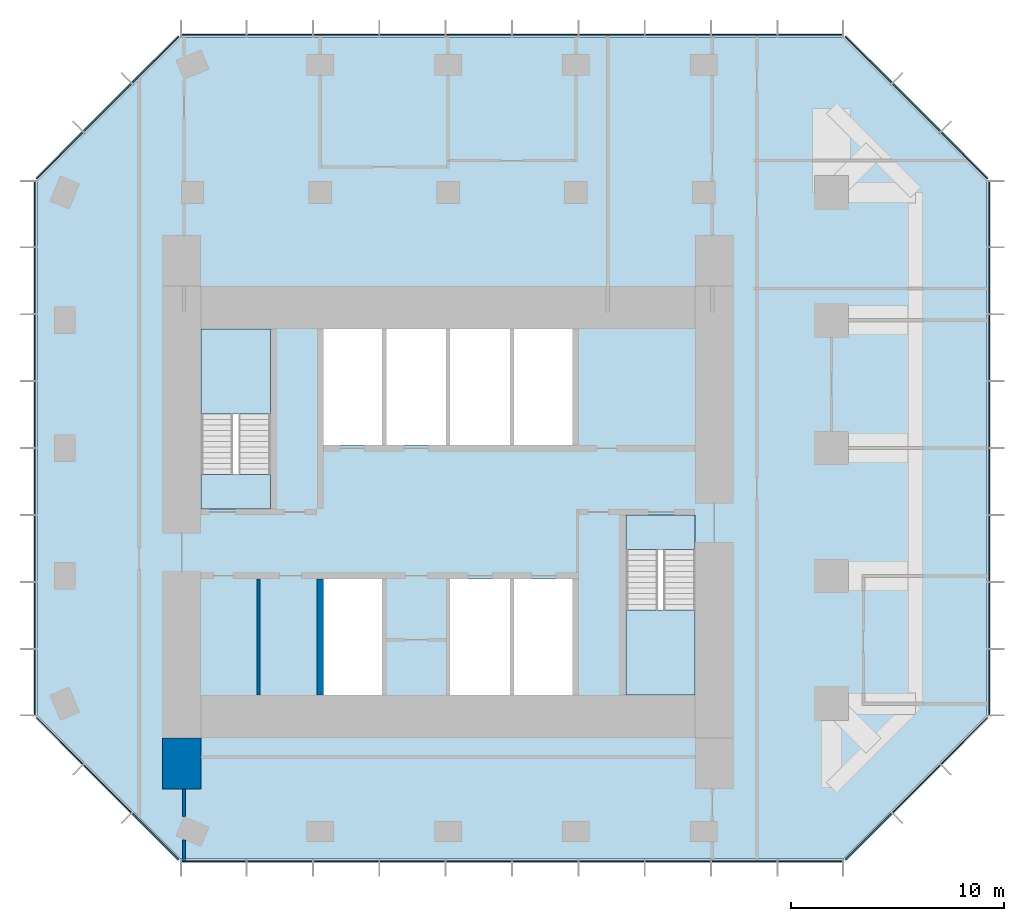
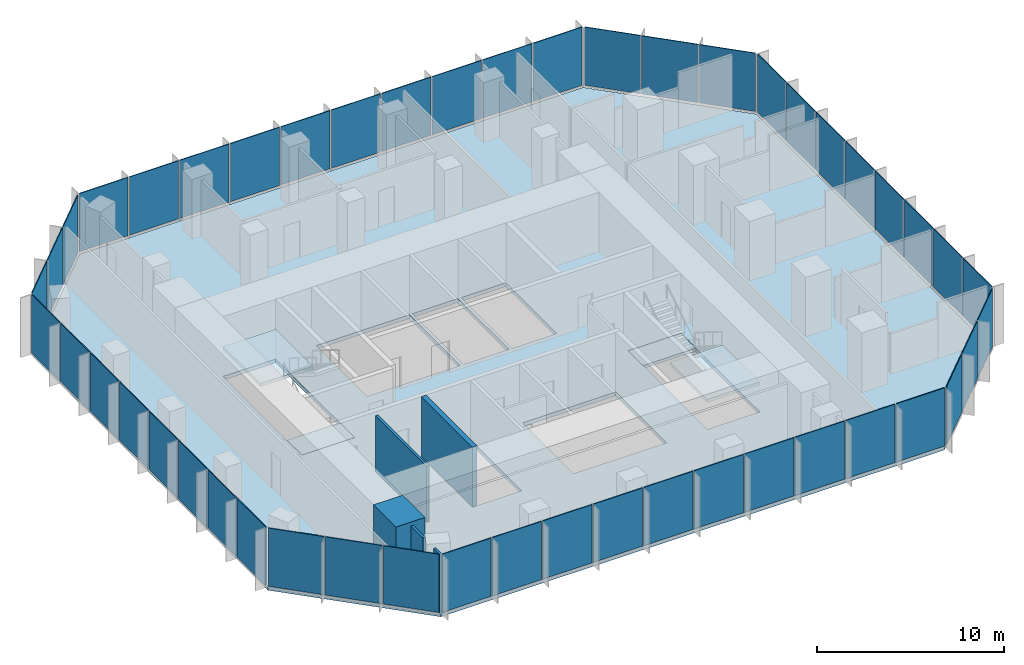
# One storey, part 7 of 10: 48 plates, 5 slabs, 5 walls, 10 elements without a shape of their own.
"""IFC4 building model written with IfcOpenShell, lengths in metres."""

from ifc_helpers import new_model, si_unit, direction, frame, frame_2d, origin, origin_2d, place, context, subcontext, project, spatial, polyline, rectangle, outline, extrude, material, layer, layer_set, type_object, element, aggregate, save


model = new_model("IFC4")

# Units and contexts
model_context = context("Model", 3, precision=1e-05, world=origin(), true_north=direction((0.0, 1.0)))
body_context = subcontext(model_context, "Body", "Model", "MODEL_VIEW")
ifc_project = project(units=[si_unit("LENGTHUNIT", "METRE"), si_unit("AREAUNIT", "SQUARE_METRE"), si_unit("VOLUMEUNIT", "CUBIC_METRE"), si_unit("PLANEANGLEUNIT", "RADIAN"), si_unit("MASSUNIT", "GRAM", prefix="KILO")], contexts=[model_context])

# Site, building, storey
site_placement = place(None, origin())
site = spatial("IfcSite", under=ifc_project, at=site_placement, CompositionType="ELEMENT")
building_placement = place(site_placement, origin())
building = spatial("IfcBuilding", under=site, at=building_placement, Name="Highveld Stack Headquarters", CompositionType="ELEMENT")
storey_placement = place(building_placement, frame((0.0, 0.0, 252.800048828125)))
storey = spatial("IfcBuildingStorey", under=building, at=storey_placement, Name="L62", CompositionType="ELEMENT", Elevation=252.800048828125)

# Curtain wall, plates
ifc_material_1 = material(Name="Aluminium bronze anodised", Category="aluminium")
ifc_layer_1 = layer(ifc_material_1, 0.199951171875)
ifc_layer_set_1 = layer_set([ifc_layer_1], Name="Aluminium bronze anodised")
curtain_wall_type = type_object("IfcCurtainWallType", Name="CW5 EXECUTIVE UNITISED CURTAIN WALL", PredefinedType="NOTDEFINED", material=ifc_layer_set_1)
curtain_wall_1_placement = place(storey_placement, origin())
curtain_wall_1 = element("IfcCurtainWall", 1, at=curtain_wall_1_placement, inside=storey, type_object=curtain_wall_type, Name="Curtain wall CW5 L62 S", PredefinedType="NOTDEFINED")
ifc_material_2 = material(Name="Glass bronze tinted triple glazed unit", Category="glass")
ifc_layer_2 = layer(ifc_material_2, 0.050048828125)
ifc_layer_set_2 = layer_set([ifc_layer_2], Name="Glass bronze tinted triple glazed unit")
plate_type = type_object("IfcPlateType", Name="CW5 PANEL BRONZE TINTED TRIPLE GLAZED UNIT", PredefinedType="CURTAIN_PANEL", material=ifc_layer_set_2)
plate_1_placement = place(storey_placement, frame((-5.005615234375, -13.39990234375, 0.10009765625), z_axis=(0.0, 0.0, 1.0), x_axis=(1.0, 0.0, 0.0)))
plate_1 = element("IfcPlate", 2, at=plate_1_placement, type_object=plate_type, Name="CW5 panel L62 1.1", PredefinedType="CURTAIN_PANEL", context=body_context, shape_type="SweptSolid", body=[
    extrude(rectangle(XDim=3.0185546875, YDim=0.050048828125, at=origin_2d()), origin(), (0.0, 0.0, 1.0), 3.800048828125),
])
plate_2_placement = place(storey_placement, frame((-1.906005859375, -13.39990234375, 0.10009765625), z_axis=(0.0, 0.0, 1.0), x_axis=(1.0, 0.0, 0.0)))
plate_2 = element("IfcPlate", 3, at=plate_2_placement, type_object=plate_type, Name="CW5 panel L62 2.1", PredefinedType="CURTAIN_PANEL", context=body_context, shape_type="SweptSolid", body=[
    extrude(rectangle(XDim=3.051025390625, YDim=0.050048828125, at=origin_2d()), origin(), (0.0, 0.0, 1.0), 3.800048828125),
])
plate_3_placement = place(storey_placement, frame((1.2099609375, -13.39990234375, 0.10009765625), z_axis=(0.0, 0.0, 1.0), x_axis=(1.0, 0.0, 0.0)))
plate_3 = element("IfcPlate", 4, at=plate_3_placement, type_object=plate_type, Name="CW5 panel L62 3.1", PredefinedType="CURTAIN_PANEL", context=body_context, shape_type="SweptSolid", body=[
    extrude(rectangle(XDim=3.051025390625, YDim=0.050048828125, at=origin_2d()), origin(), (0.0, 0.0, 1.0), 3.800048828125),
])
plate_4_placement = place(storey_placement, frame((4.325927734375, -13.39990234375, 0.10009765625), z_axis=(0.0, 0.0, 1.0), x_axis=(1.0, 0.0, 0.0)))
plate_4 = element("IfcPlate", 5, at=plate_4_placement, type_object=plate_type, Name="CW5 panel L62 4.1", PredefinedType="CURTAIN_PANEL", context=body_context, shape_type="SweptSolid", body=[
    extrude(rectangle(XDim=3.051025390625, YDim=0.050048828125, at=origin_2d()), origin(), (0.0, 0.0, 1.0), 3.800048828125),
])
plate_5_placement = place(storey_placement, frame((7.44189453125, -13.39990234375, 0.10009765625), z_axis=(0.0, 0.0, 1.0), x_axis=(1.0, 0.0, 0.0)))
plate_5 = element("IfcPlate", 6, at=plate_5_placement, type_object=plate_type, Name="CW5 panel L62 5.1", PredefinedType="CURTAIN_PANEL", context=body_context, shape_type="SweptSolid", body=[
    extrude(rectangle(XDim=3.051025390625, YDim=0.050048828125, at=origin_2d()), origin(), (0.0, 0.0, 1.0), 3.800048828125),
])
plate_6_placement = place(storey_placement, frame((10.55810546875, -13.39990234375, 0.10009765625), z_axis=(0.0, 0.0, 1.0), x_axis=(1.0, 0.0, 0.0)))
plate_6 = element("IfcPlate", 7, at=plate_6_placement, type_object=plate_type, Name="CW5 panel L62 6.1", PredefinedType="CURTAIN_PANEL", context=body_context, shape_type="SweptSolid", body=[
    extrude(rectangle(XDim=3.051025390625, YDim=0.050048828125, at=origin_2d()), origin(), (0.0, 0.0, 1.0), 3.800048828125),
])
plate_7_placement = place(storey_placement, frame((13.674072265625, -13.39990234375, 0.10009765625), z_axis=(0.0, 0.0, 1.0), x_axis=(1.0, 0.0, 0.0)))
plate_7 = element("IfcPlate", 8, at=plate_7_placement, type_object=plate_type, Name="CW5 panel L62 7.1", PredefinedType="CURTAIN_PANEL", context=body_context, shape_type="SweptSolid", body=[
    extrude(rectangle(XDim=3.051025390625, YDim=0.050048828125, at=origin_2d()), origin(), (0.0, 0.0, 1.0), 3.800048828125),
])
plate_8_placement = place(storey_placement, frame((16.789794921875, -13.39990234375, 0.10009765625), z_axis=(0.0, 0.0, 1.0), x_axis=(1.0, 0.0, 0.0)))
plate_8 = element("IfcPlate", 9, at=plate_8_placement, type_object=plate_type, Name="CW5 panel L62 8.1", PredefinedType="CURTAIN_PANEL", context=body_context, shape_type="SweptSolid", body=[
    extrude(rectangle(XDim=3.051025390625, YDim=0.050048828125, at=origin_2d()), origin(), (0.0, 0.0, 1.0), 3.800048828125),
])
plate_9_placement = place(storey_placement, frame((19.906005859375, -13.39990234375, 0.10009765625), z_axis=(0.0, 0.0, 1.0), x_axis=(1.0, 0.0, 0.0)))
plate_9 = element("IfcPlate", 10, at=plate_9_placement, type_object=plate_type, Name="CW5 panel L62 9.1", PredefinedType="CURTAIN_PANEL", context=body_context, shape_type="SweptSolid", body=[
    extrude(rectangle(XDim=3.051025390625, YDim=0.050048828125, at=origin_2d()), origin(), (0.0, 0.0, 1.0), 3.800048828125),
])
plate_10_placement = place(storey_placement, frame((23.005615234375, -13.39990234375, 0.10009765625), z_axis=(0.0, 0.0, 1.0), x_axis=(1.0, 0.0, 0.0)))
plate_10 = element("IfcPlate", 11, at=plate_10_placement, type_object=plate_type, Name="CW5 panel L62 10.1", PredefinedType="CURTAIN_PANEL", context=body_context, shape_type="SweptSolid", body=[
    extrude(rectangle(XDim=3.0185546875, YDim=0.050048828125, at=origin_2d()), origin(), (0.0, 0.0, 1.0), 3.800048828125),
])
aggregate(curtain_wall_1, [plate_1, plate_2, plate_3, plate_4, plate_5, plate_6, plate_7, plate_8, plate_9, plate_10])

curtain_wall_2_placement = place(storey_placement, origin())
curtain_wall_2 = element("IfcCurtainWall", 12, at=curtain_wall_2_placement, inside=storey, type_object=curtain_wall_type, Name="Curtain wall CW5 L62 SE", PredefinedType="NOTDEFINED")
plate_11_placement = place(storey_placement, frame((25.740478515625, -12.239501953125, 0.10009765625), z_axis=(0.0, 0.0, 1.0), x_axis=(0.707106781187, 0.707106781187, 0.0)))
plate_11 = element("IfcPlate", 13, at=plate_11_placement, type_object=plate_type, Name="CW5 panel L62 1.1", PredefinedType="CURTAIN_PANEL", context=body_context, shape_type="SweptSolid", body=[
    extrude(rectangle(XDim=3.08251953125, YDim=0.050048828125, at=origin_2d()), origin(), (0.0, 0.0, 1.0), 3.800048828125),
])
plate_12_placement = place(storey_placement, frame((27.989990234375, -9.989990234375, 0.10009765625), z_axis=(0.0, 0.0, 1.0), x_axis=(0.707106781187, 0.707106781187, 0.0)))
plate_12 = element("IfcPlate", 14, at=plate_12_placement, type_object=plate_type, Name="CW5 panel L62 2.1", PredefinedType="CURTAIN_PANEL", context=body_context, shape_type="SweptSolid", body=[
    extrude(rectangle(XDim=3.14990234375, YDim=0.050048828125, at=origin_2d()), origin(), (0.0, 0.0, 1.0), 3.800048828125),
])
plate_13_placement = place(storey_placement, frame((30.239501953125, -7.740478515625, 0.10009765625), z_axis=(0.0, 0.0, 1.0), x_axis=(0.707106781187, 0.707106781187, 0.0)))
plate_13 = element("IfcPlate", 15, at=plate_13_placement, type_object=plate_type, Name="CW5 panel L62 3.1", PredefinedType="CURTAIN_PANEL", context=body_context, shape_type="SweptSolid", body=[
    extrude(rectangle(XDim=3.08251953125, YDim=0.050048828125, at=origin_2d()), origin(), (0.0, 0.0, 1.0), 3.800048828125),
])
aggregate(curtain_wall_2, [plate_11, plate_12, plate_13])

curtain_wall_3_placement = place(storey_placement, origin())
curtain_wall_3 = element("IfcCurtainWall", 16, at=curtain_wall_3_placement, inside=storey, type_object=curtain_wall_type, Name="Curtain wall CW5 L62 E", PredefinedType="NOTDEFINED")
plate_14_placement = place(storey_placement, frame((31.39990234375, -4.9912109375, 0.10009765625), z_axis=(0.0, 0.0, 1.0), x_axis=(0.0, 1.0, 0.0)))
plate_14 = element("IfcPlate", 17, at=plate_14_placement, type_object=plate_type, Name="CW5 panel L62 1.1", PredefinedType="CURTAIN_PANEL", context=body_context, shape_type="SweptSolid", body=[
    extrude(rectangle(XDim=3.047607421875, YDim=0.050048828125, at=origin_2d()), origin(), (0.0, 0.0, 1.0), 3.800048828125),
])
plate_15_placement = place(storey_placement, frame((31.39990234375, -1.8623046875, 0.10009765625), z_axis=(0.0, 0.0, 1.0), x_axis=(0.0, 1.0, 0.0)))
plate_15 = element("IfcPlate", 18, at=plate_15_placement, type_object=plate_type, Name="CW5 panel L62 2.1", PredefinedType="CURTAIN_PANEL", context=body_context, shape_type="SweptSolid", body=[
    extrude(rectangle(XDim=3.080078125, YDim=0.050048828125, at=origin_2d()), origin(), (0.0, 0.0, 1.0), 3.800048828125),
])
plate_16_placement = place(storey_placement, frame((31.39990234375, 1.282470703125, 0.10009765625), z_axis=(0.0, 0.0, 1.0), x_axis=(0.0, 1.0, 0.0)))
plate_16 = element("IfcPlate", 19, at=plate_16_placement, type_object=plate_type, Name="CW5 panel L62 3.1", PredefinedType="CURTAIN_PANEL", context=body_context, shape_type="SweptSolid", body=[
    extrude(rectangle(XDim=3.080078125, YDim=0.050048828125, at=origin_2d()), origin(), (0.0, 0.0, 1.0), 3.800048828125),
])
plate_17_placement = place(storey_placement, frame((31.39990234375, 4.427490234375, 0.10009765625), z_axis=(0.0, 0.0, 1.0), x_axis=(0.0, 1.0, 0.0)))
plate_17 = element("IfcPlate", 20, at=plate_17_placement, type_object=plate_type, Name="CW5 panel L62 4.1", PredefinedType="CURTAIN_PANEL", context=body_context, shape_type="SweptSolid", body=[
    extrude(rectangle(XDim=3.080078125, YDim=0.050048828125, at=origin_2d()), origin(), (0.0, 0.0, 1.0), 3.800048828125),
])
plate_18_placement = place(storey_placement, frame((31.39990234375, 7.572509765625, 0.10009765625), z_axis=(0.0, 0.0, 1.0), x_axis=(0.0, 1.0, 0.0)))
plate_18 = element("IfcPlate", 21, at=plate_18_placement, type_object=plate_type, Name="CW5 panel L62 5.1", PredefinedType="CURTAIN_PANEL", context=body_context, shape_type="SweptSolid", body=[
    extrude(rectangle(XDim=3.080078125, YDim=0.050048828125, at=origin_2d()), origin(), (0.0, 0.0, 1.0), 3.800048828125),
])
plate_19_placement = place(storey_placement, frame((31.39990234375, 10.717529296875, 0.10009765625), z_axis=(0.0, 0.0, 1.0), x_axis=(0.0, 1.0, 0.0)))
plate_19 = element("IfcPlate", 22, at=plate_19_placement, type_object=plate_type, Name="CW5 panel L62 6.1", PredefinedType="CURTAIN_PANEL", context=body_context, shape_type="SweptSolid", body=[
    extrude(rectangle(XDim=3.080078125, YDim=0.050048828125, at=origin_2d()), origin(), (0.0, 0.0, 1.0), 3.800048828125),
])
plate_20_placement = place(storey_placement, frame((31.39990234375, 13.8623046875, 0.10009765625), z_axis=(0.0, 0.0, 1.0), x_axis=(0.0, 1.0, 0.0)))
plate_20 = element("IfcPlate", 23, at=plate_20_placement, type_object=plate_type, Name="CW5 panel L62 7.1", PredefinedType="CURTAIN_PANEL", context=body_context, shape_type="SweptSolid", body=[
    extrude(rectangle(XDim=3.080078125, YDim=0.050048828125, at=origin_2d()), origin(), (0.0, 0.0, 1.0), 3.800048828125),
])
plate_21_placement = place(storey_placement, frame((31.39990234375, 16.9912109375, 0.10009765625), z_axis=(0.0, 0.0, 1.0), x_axis=(0.0, 1.0, 0.0)))
plate_21 = element("IfcPlate", 24, at=plate_21_placement, type_object=plate_type, Name="CW5 panel L62 8.1", PredefinedType="CURTAIN_PANEL", context=body_context, shape_type="SweptSolid", body=[
    extrude(rectangle(XDim=3.047607421875, YDim=0.050048828125, at=origin_2d()), origin(), (0.0, 0.0, 1.0), 3.800048828125),
])
aggregate(curtain_wall_3, [plate_14, plate_15, plate_16, plate_17, plate_18, plate_19, plate_20, plate_21])

curtain_wall_4_placement = place(storey_placement, origin())
curtain_wall_4 = element("IfcCurtainWall", 25, at=curtain_wall_4_placement, inside=storey, type_object=curtain_wall_type, Name="Curtain wall CW5 L62 NE", PredefinedType="NOTDEFINED")
plate_22_placement = place(storey_placement, frame((30.239501953125, 19.740478515625, 0.10009765625), z_axis=(0.0, 0.0, 1.0), x_axis=(-0.707106781187, 0.707106781187, 0.0)))
plate_22 = element("IfcPlate", 26, at=plate_22_placement, type_object=plate_type, Name="CW5 panel L62 1.1", PredefinedType="CURTAIN_PANEL", context=body_context, shape_type="SweptSolid", body=[
    extrude(rectangle(XDim=3.08251953125, YDim=0.050048828125, at=origin_2d()), origin(), (0.0, 0.0, 1.0), 3.800048828125),
])
plate_23_placement = place(storey_placement, frame((27.989990234375, 21.989990234375, 0.10009765625), z_axis=(0.0, 0.0, 1.0), x_axis=(-0.707106781187, 0.707106781187, 0.0)))
plate_23 = element("IfcPlate", 27, at=plate_23_placement, type_object=plate_type, Name="CW5 panel L62 2.1", PredefinedType="CURTAIN_PANEL", context=body_context, shape_type="SweptSolid", body=[
    extrude(rectangle(XDim=3.14990234375, YDim=0.050048828125, at=origin_2d()), origin(), (0.0, 0.0, 1.0), 3.800048828125),
])
plate_24_placement = place(storey_placement, frame((25.740478515625, 24.239501953125, 0.10009765625), z_axis=(0.0, 0.0, 1.0), x_axis=(-0.707106781187, 0.707106781187, 0.0)))
plate_24 = element("IfcPlate", 28, at=plate_24_placement, type_object=plate_type, Name="CW5 panel L62 3.1", PredefinedType="CURTAIN_PANEL", context=body_context, shape_type="SweptSolid", body=[
    extrude(rectangle(XDim=3.08251953125, YDim=0.050048828125, at=origin_2d()), origin(), (0.0, 0.0, 1.0), 3.800048828125),
])
aggregate(curtain_wall_4, [plate_22, plate_23, plate_24])

curtain_wall_5_placement = place(storey_placement, origin())
curtain_wall_5 = element("IfcCurtainWall", 29, at=curtain_wall_5_placement, inside=storey, type_object=curtain_wall_type, Name="Curtain wall CW5 L62 N", PredefinedType="NOTDEFINED")
plate_25_placement = place(storey_placement, frame((23.005615234375, 25.39990234375, 0.10009765625), z_axis=(0.0, 0.0, 1.0), x_axis=(-1.0, 0.0, 0.0)))
plate_25 = element("IfcPlate", 30, at=plate_25_placement, type_object=plate_type, Name="CW5 panel L62 1.1", PredefinedType="CURTAIN_PANEL", context=body_context, shape_type="SweptSolid", body=[
    extrude(rectangle(XDim=3.0185546875, YDim=0.050048828125, at=origin_2d()), origin(), (0.0, 0.0, 1.0), 3.800048828125),
])
plate_26_placement = place(storey_placement, frame((19.906005859375, 25.39990234375, 0.10009765625), z_axis=(0.0, 0.0, 1.0), x_axis=(-1.0, 0.0, 0.0)))
plate_26 = element("IfcPlate", 31, at=plate_26_placement, type_object=plate_type, Name="CW5 panel L62 2.1", PredefinedType="CURTAIN_PANEL", context=body_context, shape_type="SweptSolid", body=[
    extrude(rectangle(XDim=3.051025390625, YDim=0.050048828125, at=origin_2d()), origin(), (0.0, 0.0, 1.0), 3.800048828125),
])
plate_27_placement = place(storey_placement, frame((16.7900390625, 25.39990234375, 0.10009765625), z_axis=(0.0, 0.0, 1.0), x_axis=(-1.0, 0.0, 0.0)))
plate_27 = element("IfcPlate", 32, at=plate_27_placement, type_object=plate_type, Name="CW5 panel L62 3.1", PredefinedType="CURTAIN_PANEL", context=body_context, shape_type="SweptSolid", body=[
    extrude(rectangle(XDim=3.051025390625, YDim=0.050048828125, at=origin_2d()), origin(), (0.0, 0.0, 1.0), 3.800048828125),
])
plate_28_placement = place(storey_placement, frame((13.674072265625, 25.39990234375, 0.10009765625), z_axis=(0.0, 0.0, 1.0), x_axis=(-1.0, 0.0, 0.0)))
plate_28 = element("IfcPlate", 33, at=plate_28_placement, type_object=plate_type, Name="CW5 panel L62 4.1", PredefinedType="CURTAIN_PANEL", context=body_context, shape_type="SweptSolid", body=[
    extrude(rectangle(XDim=3.051025390625, YDim=0.050048828125, at=origin_2d()), origin(), (0.0, 0.0, 1.0), 3.800048828125),
])
plate_29_placement = place(storey_placement, frame((10.55810546875, 25.39990234375, 0.10009765625), z_axis=(0.0, 0.0, 1.0), x_axis=(-1.0, 0.0, 0.0)))
plate_29 = element("IfcPlate", 34, at=plate_29_placement, type_object=plate_type, Name="CW5 panel L62 5.1", PredefinedType="CURTAIN_PANEL", context=body_context, shape_type="SweptSolid", body=[
    extrude(rectangle(XDim=3.051025390625, YDim=0.050048828125, at=origin_2d()), origin(), (0.0, 0.0, 1.0), 3.800048828125),
])
plate_30_placement = place(storey_placement, frame((7.44189453125, 25.39990234375, 0.10009765625), z_axis=(0.0, 0.0, 1.0), x_axis=(-1.0, 0.0, 0.0)))
plate_30 = element("IfcPlate", 35, at=plate_30_placement, type_object=plate_type, Name="CW5 panel L62 6.1", PredefinedType="CURTAIN_PANEL", context=body_context, shape_type="SweptSolid", body=[
    extrude(rectangle(XDim=3.051025390625, YDim=0.050048828125, at=origin_2d()), origin(), (0.0, 0.0, 1.0), 3.800048828125),
])
plate_31_placement = place(storey_placement, frame((4.325927734375, 25.39990234375, 0.10009765625), z_axis=(0.0, 0.0, 1.0), x_axis=(-1.0, 0.0, 0.0)))
plate_31 = element("IfcPlate", 36, at=plate_31_placement, type_object=plate_type, Name="CW5 panel L62 7.1", PredefinedType="CURTAIN_PANEL", context=body_context, shape_type="SweptSolid", body=[
    extrude(rectangle(XDim=3.051025390625, YDim=0.050048828125, at=origin_2d()), origin(), (0.0, 0.0, 1.0), 3.800048828125),
])
plate_32_placement = place(storey_placement, frame((1.210205078125, 25.39990234375, 0.10009765625), z_axis=(0.0, 0.0, 1.0), x_axis=(-1.0, 0.0, 0.0)))
plate_32 = element("IfcPlate", 37, at=plate_32_placement, type_object=plate_type, Name="CW5 panel L62 8.1", PredefinedType="CURTAIN_PANEL", context=body_context, shape_type="SweptSolid", body=[
    extrude(rectangle(XDim=3.051025390625, YDim=0.050048828125, at=origin_2d()), origin(), (0.0, 0.0, 1.0), 3.800048828125),
])
plate_33_placement = place(storey_placement, frame((-1.906005859375, 25.39990234375, 0.10009765625), z_axis=(0.0, 0.0, 1.0), x_axis=(-1.0, 0.0, 0.0)))
plate_33 = element("IfcPlate", 38, at=plate_33_placement, type_object=plate_type, Name="CW5 panel L62 9.1", PredefinedType="CURTAIN_PANEL", context=body_context, shape_type="SweptSolid", body=[
    extrude(rectangle(XDim=3.051025390625, YDim=0.050048828125, at=origin_2d()), origin(), (0.0, 0.0, 1.0), 3.800048828125),
])
plate_34_placement = place(storey_placement, frame((-5.005615234375, 25.39990234375, 0.10009765625), z_axis=(0.0, 0.0, 1.0), x_axis=(-1.0, 0.0, 0.0)))
plate_34 = element("IfcPlate", 39, at=plate_34_placement, type_object=plate_type, Name="CW5 panel L62 10.1", PredefinedType="CURTAIN_PANEL", context=body_context, shape_type="SweptSolid", body=[
    extrude(rectangle(XDim=3.0185546875, YDim=0.050048828125, at=origin_2d()), origin(), (0.0, 0.0, 1.0), 3.800048828125),
])
aggregate(curtain_wall_5, [plate_25, plate_26, plate_27, plate_28, plate_29, plate_30, plate_31, plate_32, plate_33, plate_34])

curtain_wall_6_placement = place(storey_placement, origin())
curtain_wall_6 = element("IfcCurtainWall", 40, at=curtain_wall_6_placement, inside=storey, type_object=curtain_wall_type, Name="Curtain wall CW5 L62 NW", PredefinedType="NOTDEFINED")
plate_35_placement = place(storey_placement, frame((-7.740478515625, 24.239501953125, 0.10009765625), z_axis=(0.0, 0.0, 1.0), x_axis=(-0.707106781187, -0.707106781187, 0.0)))
plate_35 = element("IfcPlate", 41, at=plate_35_placement, type_object=plate_type, Name="CW5 panel L62 1.1", PredefinedType="CURTAIN_PANEL", context=body_context, shape_type="SweptSolid", body=[
    extrude(rectangle(XDim=3.08251953125, YDim=0.050048828125, at=origin_2d()), origin(), (0.0, 0.0, 1.0), 3.800048828125),
])
plate_36_placement = place(storey_placement, frame((-9.989990234375, 21.989990234375, 0.10009765625), z_axis=(0.0, 0.0, 1.0), x_axis=(-0.707106781187, -0.707106781187, 0.0)))
plate_36 = element("IfcPlate", 42, at=plate_36_placement, type_object=plate_type, Name="CW5 panel L62 2.1", PredefinedType="CURTAIN_PANEL", context=body_context, shape_type="SweptSolid", body=[
    extrude(rectangle(XDim=3.14990234375, YDim=0.050048828125, at=origin_2d()), origin(), (0.0, 0.0, 1.0), 3.800048828125),
])
plate_37_placement = place(storey_placement, frame((-12.239501953125, 19.740478515625, 0.10009765625), z_axis=(0.0, 0.0, 1.0), x_axis=(-0.707106781187, -0.707106781187, 0.0)))
plate_37 = element("IfcPlate", 43, at=plate_37_placement, type_object=plate_type, Name="CW5 panel L62 3.1", PredefinedType="CURTAIN_PANEL", context=body_context, shape_type="SweptSolid", body=[
    extrude(rectangle(XDim=3.08251953125, YDim=0.050048828125, at=origin_2d()), origin(), (0.0, 0.0, 1.0), 3.800048828125),
])
aggregate(curtain_wall_6, [plate_35, plate_36, plate_37])

curtain_wall_7_placement = place(storey_placement, origin())
curtain_wall_7 = element("IfcCurtainWall", 44, at=curtain_wall_7_placement, inside=storey, type_object=curtain_wall_type, Name="Curtain wall CW5 L62 W", PredefinedType="NOTDEFINED")
plate_38_placement = place(storey_placement, frame((-13.39990234375, 16.9912109375, 0.10009765625), z_axis=(0.0, 0.0, 1.0), x_axis=(0.0, -1.0, 0.0)))
plate_38 = element("IfcPlate", 45, at=plate_38_placement, type_object=plate_type, Name="CW5 panel L62 1.1", PredefinedType="CURTAIN_PANEL", context=body_context, shape_type="SweptSolid", body=[
    extrude(rectangle(XDim=3.047607421875, YDim=0.050048828125, at=origin_2d()), origin(), (0.0, 0.0, 1.0), 3.800048828125),
])
plate_39_placement = place(storey_placement, frame((-13.39990234375, 13.8623046875, 0.10009765625), z_axis=(0.0, 0.0, 1.0), x_axis=(0.0, -1.0, 0.0)))
plate_39 = element("IfcPlate", 46, at=plate_39_placement, type_object=plate_type, Name="CW5 panel L62 2.1", PredefinedType="CURTAIN_PANEL", context=body_context, shape_type="SweptSolid", body=[
    extrude(rectangle(XDim=3.080078125, YDim=0.050048828125, at=origin_2d()), origin(), (0.0, 0.0, 1.0), 3.800048828125),
])
plate_40_placement = place(storey_placement, frame((-13.39990234375, 10.717529296875, 0.10009765625), z_axis=(0.0, 0.0, 1.0), x_axis=(0.0, -1.0, 0.0)))
plate_40 = element("IfcPlate", 47, at=plate_40_placement, type_object=plate_type, Name="CW5 panel L62 3.1", PredefinedType="CURTAIN_PANEL", context=body_context, shape_type="SweptSolid", body=[
    extrude(rectangle(XDim=3.080078125, YDim=0.050048828125, at=origin_2d()), origin(), (0.0, 0.0, 1.0), 3.800048828125),
])
plate_41_placement = place(storey_placement, frame((-13.39990234375, 7.572509765625, 0.10009765625), z_axis=(0.0, 0.0, 1.0), x_axis=(0.0, -1.0, 0.0)))
plate_41 = element("IfcPlate", 48, at=plate_41_placement, type_object=plate_type, Name="CW5 panel L62 4.1", PredefinedType="CURTAIN_PANEL", context=body_context, shape_type="SweptSolid", body=[
    extrude(rectangle(XDim=3.080078125, YDim=0.050048828125, at=origin_2d()), origin(), (0.0, 0.0, 1.0), 3.800048828125),
])
plate_42_placement = place(storey_placement, frame((-13.39990234375, 4.427490234375, 0.10009765625), z_axis=(0.0, 0.0, 1.0), x_axis=(0.0, -1.0, 0.0)))
plate_42 = element("IfcPlate", 49, at=plate_42_placement, type_object=plate_type, Name="CW5 panel L62 5.1", PredefinedType="CURTAIN_PANEL", context=body_context, shape_type="SweptSolid", body=[
    extrude(rectangle(XDim=3.080078125, YDim=0.050048828125, at=origin_2d()), origin(), (0.0, 0.0, 1.0), 3.800048828125),
])
plate_43_placement = place(storey_placement, frame((-13.39990234375, 1.282470703125, 0.10009765625), z_axis=(0.0, 0.0, 1.0), x_axis=(0.0, -1.0, 0.0)))
plate_43 = element("IfcPlate", 50, at=plate_43_placement, type_object=plate_type, Name="CW5 panel L62 6.1", PredefinedType="CURTAIN_PANEL", context=body_context, shape_type="SweptSolid", body=[
    extrude(rectangle(XDim=3.080078125, YDim=0.050048828125, at=origin_2d()), origin(), (0.0, 0.0, 1.0), 3.800048828125),
])
plate_44_placement = place(storey_placement, frame((-13.39990234375, -1.8623046875, 0.10009765625), z_axis=(0.0, 0.0, 1.0), x_axis=(0.0, -1.0, 0.0)))
plate_44 = element("IfcPlate", 51, at=plate_44_placement, type_object=plate_type, Name="CW5 panel L62 7.1", PredefinedType="CURTAIN_PANEL", context=body_context, shape_type="SweptSolid", body=[
    extrude(rectangle(XDim=3.080078125, YDim=0.050048828125, at=origin_2d()), origin(), (0.0, 0.0, 1.0), 3.800048828125),
])
plate_45_placement = place(storey_placement, frame((-13.39990234375, -4.9912109375, 0.10009765625), z_axis=(0.0, 0.0, 1.0), x_axis=(0.0, -1.0, 0.0)))
plate_45 = element("IfcPlate", 52, at=plate_45_placement, type_object=plate_type, Name="CW5 panel L62 8.1", PredefinedType="CURTAIN_PANEL", context=body_context, shape_type="SweptSolid", body=[
    extrude(rectangle(XDim=3.047607421875, YDim=0.050048828125, at=origin_2d()), origin(), (0.0, 0.0, 1.0), 3.800048828125),
])
aggregate(curtain_wall_7, [plate_38, plate_39, plate_40, plate_41, plate_42, plate_43, plate_44, plate_45])

curtain_wall_8_placement = place(storey_placement, origin())
curtain_wall_8 = element("IfcCurtainWall", 53, at=curtain_wall_8_placement, inside=storey, type_object=curtain_wall_type, Name="Curtain wall CW5 L62 SW", PredefinedType="NOTDEFINED")
plate_46_placement = place(storey_placement, frame((-12.239501953125, -7.740478515625, 0.10009765625), z_axis=(0.0, 0.0, 1.0), x_axis=(0.707106781187, -0.707106781187, 0.0)))
plate_46 = element("IfcPlate", 54, at=plate_46_placement, type_object=plate_type, Name="CW5 panel L62 1.1", PredefinedType="CURTAIN_PANEL", context=body_context, shape_type="SweptSolid", body=[
    extrude(rectangle(XDim=3.08251953125, YDim=0.050048828125, at=origin_2d()), origin(), (0.0, 0.0, 1.0), 3.800048828125),
])
plate_47_placement = place(storey_placement, frame((-9.989990234375, -9.989990234375, 0.10009765625), z_axis=(0.0, 0.0, 1.0), x_axis=(0.707106781187, -0.707106781187, 0.0)))
plate_47 = element("IfcPlate", 55, at=plate_47_placement, type_object=plate_type, Name="CW5 panel L62 2.1", PredefinedType="CURTAIN_PANEL", context=body_context, shape_type="SweptSolid", body=[
    extrude(rectangle(XDim=3.14990234375, YDim=0.050048828125, at=origin_2d()), origin(), (0.0, 0.0, 1.0), 3.800048828125),
])
plate_48_placement = place(storey_placement, frame((-7.740478515625, -12.239501953125, 0.10009765625), z_axis=(0.0, 0.0, 1.0), x_axis=(0.707106781187, -0.707106781187, 0.0)))
plate_48 = element("IfcPlate", 56, at=plate_48_placement, type_object=plate_type, Name="CW5 panel L62 3.1", PredefinedType="CURTAIN_PANEL", context=body_context, shape_type="SweptSolid", body=[
    extrude(rectangle(XDim=3.08251953125, YDim=0.050048828125, at=origin_2d()), origin(), (0.0, 0.0, 1.0), 3.800048828125),
])
aggregate(curtain_wall_8, [plate_46, plate_47, plate_48])

# Slab
ifc_material_3 = material(Name="Concrete C60/75", Category="concrete")
ifc_layer_3 = layer(ifc_material_3, 0.25)
ifc_layer_set_3 = layer_set([ifc_layer_3], Name="Concrete C60/75")
slab_type_1 = type_object("IfcSlabType", Name="PT FLAT SLAB 250", PredefinedType="FLOOR", material=ifc_layer_set_3)
slab_1_placement = place(storey_placement, frame((0.0, 0.0, -0.25)))
element("IfcSlab", 57, at=slab_1_placement, inside=storey, type_object=slab_type_1, Name="Floor slab L62", PredefinedType="FLOOR", context=body_context, shape_type="SweptSolid", body=[
    extrude(outline(polyline([(-6.53857421875, -13.300048828125), (24.53857421875, -13.300048828125), (31.300048828125, -6.53857421875), (31.300048828125, 18.53857421875), (24.53857421875, 25.300048828125), (-6.53857421875, 25.300048828125), (-13.300048828125, 18.53857421875), (-13.300048828125, -6.53857421875), (-6.53857421875, -13.300048828125)]), holes=[polyline([(0.14990234375, 6.14990234375), (5.89990234375, 6.14990234375), (5.89990234375, 11.60009765625), (0.14990234375, 11.60009765625), (0.14990234375, 6.14990234375)]), polyline([(9.10009765625, 6.14990234375), (11.85009765625, 6.14990234375), (11.85009765625, 11.60009765625), (9.10009765625, 11.60009765625), (9.10009765625, 6.14990234375)]), polyline([(6.10009765625, 6.14990234375), (8.89990234375, 6.14990234375), (8.89990234375, 11.60009765625), (6.10009765625, 11.60009765625), (6.10009765625, 6.14990234375)]), polyline([(6.10009765625, -5.60009765625), (11.85009765625, -5.60009765625), (11.85009765625, -0.14990234375), (6.10009765625, -0.14990234375), (6.10009765625, -5.60009765625)]), polyline([(0.14990234375, -5.60009765625), (2.89990234375, -5.60009765625), (2.89990234375, -0.14990234375), (0.14990234375, -0.14990234375), (0.14990234375, -5.60009765625)]), polyline([(-5.60009765625, 3.14990234375), (-2.35009765625, 3.14990234375), (-2.35009765625, 11.60009765625), (-5.60009765625, 11.60009765625), (-5.60009765625, 3.14990234375)]), polyline([(14.35009765625, -5.60009765625), (17.60009765625, -5.60009765625), (17.60009765625, 2.85009765625), (14.35009765625, 2.85009765625), (14.35009765625, -5.60009765625)])]), origin(), (0.0, 0.0, 1.0), 0.25),
])

# Stair, slabs
ifc_material_4 = material(Name="Concrete C40/50, precast", Category="concrete")
stair_type_1 = type_object("IfcStairType", Name="STAIR S1 HALF TURN 1500", PredefinedType="HALF_TURN_STAIR", material=ifc_material_4)
stair_1_placement = place(storey_placement, origin())
stair_1 = element("IfcStair", 58, at=stair_1_placement, inside=storey, type_object=stair_type_1, Name="Stair S1 L62", PredefinedType="HALF_TURN_STAIR")
ifc_material_5 = material(Name="Concrete C40/50, precast", Category="concrete")
ifc_layer_4 = layer(ifc_material_5, 0.199951171875)
ifc_layer_set_4 = layer_set([ifc_layer_4], Name="Concrete C40/50, precast")
slab_type_2 = type_object("IfcSlabType", Name="STAIR LANDING 200", PredefinedType="LANDING", material=ifc_layer_set_4)
slab_2_placement = place(storey_placement, frame((0.0, 0.0, 1.75)))
slab_2 = element("IfcSlab", 59, at=slab_2_placement, type_object=slab_type_2, Name="S1 landing 1", PredefinedType="LANDING", context=body_context, shape_type="SweptSolid", body=[
    extrude(outline(polyline([(-5.60009765625, 7.610107421875), (-2.35009765625, 7.610107421875), (-2.35009765625, 11.60009765625), (-5.60009765625, 11.60009765625), (-5.60009765625, 7.610107421875)])), origin(), (0.0, 0.0, 1.0), 0.199951171875),
])
slab_3_placement = place(storey_placement, frame((0.0, 0.0, -0.199951171875)))
slab_3 = element("IfcSlab", 60, at=slab_3_placement, type_object=slab_type_2, Name="S1 landing 2", PredefinedType="LANDING", context=body_context, shape_type="SweptSolid", body=[
    extrude(outline(polyline([(-5.60009765625, 3.14990234375), (-2.35009765625, 3.14990234375), (-2.35009765625, 4.75), (-5.60009765625, 4.75), (-5.60009765625, 3.14990234375)])), origin(), (0.0, 0.0, 1.0), 0.199951171875),
])
aggregate(stair_1, [slab_2, slab_3])

ifc_material_6 = material(Name="Concrete C40/50, precast", Category="concrete")
stair_type_2 = type_object("IfcStairType", Name="STAIR S2 HALF TURN 1500", PredefinedType="HALF_TURN_STAIR", material=ifc_material_6)
stair_2_placement = place(storey_placement, origin())
stair_2 = element("IfcStair", 61, at=stair_2_placement, inside=storey, type_object=stair_type_2, Name="Stair S2 L62", PredefinedType="HALF_TURN_STAIR")
slab_4_placement = place(storey_placement, frame((0.0, 0.0, 1.75)))
slab_4 = element("IfcSlab", 62, at=slab_4_placement, type_object=slab_type_2, Name="S2 landing 1", PredefinedType="LANDING", context=body_context, shape_type="SweptSolid", body=[
    extrude(outline(polyline([(14.35009765625, -5.60009765625), (17.60009765625, -5.60009765625), (17.60009765625, -1.610107421875), (14.35009765625, -1.610107421875), (14.35009765625, -5.60009765625)])), origin(), (0.0, 0.0, 1.0), 0.199951171875),
])
slab_5_placement = place(storey_placement, frame((0.0, 0.0, -0.199951171875)))
slab_5 = element("IfcSlab", 63, at=slab_5_placement, type_object=slab_type_2, Name="S2 landing 2", PredefinedType="LANDING", context=body_context, shape_type="SweptSolid", body=[
    extrude(outline(polyline([(14.35009765625, 1.25), (17.60009765625, 1.25), (17.60009765625, 2.85009765625), (14.35009765625, 2.85009765625), (14.35009765625, 1.25)])), origin(), (0.0, 0.0, 1.0), 0.199951171875),
])
aggregate(stair_2, [slab_4, slab_5])

# Walls
ifc_material_7 = material(Name="Concrete C60/75", Category="concrete")
ifc_layer_5 = layer(ifc_material_7, 0.300048828125)
ifc_layer_set_5 = layer_set([ifc_layer_5], Name="Concrete C60/75")
wall_type_1 = type_object("IfcWallType", Name="CORE WALL 300 C60/75", PredefinedType="SHEAR", material=ifc_layer_set_5)
wall_1_placement = place(storey_placement, frame((0.0, -5.60009765625, 0.0), z_axis=(0.0, 0.0, 1.0), x_axis=(0.0, 1.0, 0.0)))
element("IfcWall", 64, at=wall_1_placement, inside=storey, type_object=wall_type_1, Name="Core wall I-X0S L62", PredefinedType="SHEAR", context=body_context, shape_type="SweptSolid", body=[
    extrude(rectangle(XDim=5.4501953125, YDim=0.300048828125, at=frame_2d((2.72509765625, 0.0))), origin(), (0.0, 0.0, 1.0), 3.89990234375),
])
ifc_material_8 = material(Name="Concrete C60/75", Category="concrete")
ifc_layer_6 = layer(ifc_material_8, 1.800048828125)
ifc_layer_set_6 = layer_set([ifc_layer_6], Name="Concrete C60/75")
wall_type_2 = type_object("IfcWallType", Name="CORE WING WALL 1800 C60/75", PredefinedType="SHEAR", material=ifc_layer_set_6)
wall_2_placement = place(storey_placement, frame((-6.5, -10.0, 0.0), z_axis=(0.0, 0.0, 1.0), x_axis=(0.0, 1.0, 0.0)))
element("IfcWall", 65, at=wall_2_placement, inside=storey, type_object=wall_type_2, Name="Core wing wall WS L62", PredefinedType="SHEAR", context=body_context, shape_type="SweptSolid", body=[
    extrude(rectangle(XDim=2.39990234375, YDim=1.800048828125, at=frame_2d((1.199951171875, 0.0))), origin(), (0.0, 0.0, 1.0), 3.89990234375),
])
ifc_material_9 = material(Name="Gypsum plasterboard on steel studs", Category="steel")
ifc_layer_7 = layer(ifc_material_9, 0.14990234375)
ifc_layer_set_7 = layer_set([ifc_layer_7], Name="Gypsum plasterboard on steel studs")
wall_type_3 = type_object("IfcWallType", Name="PARTITION 150 PLASTERBOARD", PredefinedType="PARTITIONING", material=ifc_layer_set_7)
wall_3_placement = place(storey_placement, frame((-6.39990234375, -13.375, 0.0), z_axis=(0.0, 0.0, 1.0), x_axis=(0.0, 1.0, 0.0)))
element("IfcWall", 66, at=wall_3_placement, inside=storey, type_object=wall_type_3, Name="Partition office neighbourhood L62", PredefinedType="PARTITIONING", context=body_context, shape_type="SweptSolid", body=[
    extrude(rectangle(XDim=0.968505859375, YDim=0.14990234375, at=frame_2d((0.484375, 0.0))), origin(), (0.0, 0.0, 1.0), 3.64990234375),
])
wall_4_placement = place(storey_placement, frame((-6.39990234375, -11.289306640625, 0.0), z_axis=(0.0, 0.0, 1.0), x_axis=(0.0, 1.0, 0.0)))
element("IfcWall", 67, at=wall_4_placement, inside=storey, type_object=wall_type_3, Name="Partition office neighbourhood L62", PredefinedType="PARTITIONING", context=body_context, shape_type="SweptSolid", body=[
    extrude(rectangle(XDim=1.289306640625, YDim=0.14990234375, at=frame_2d((0.64453125, 0.0))), origin(), (0.0, 0.0, 1.0), 3.64990234375),
])
ifc_material_10 = material(Name="Concrete blockwork, tiled", Category="masonry")
ifc_layer_8 = layer(ifc_material_10, 0.14990234375)
ifc_layer_set_8 = layer_set([ifc_layer_8], Name="Concrete blockwork, tiled")
wall_type_4 = type_object("IfcWallType", Name="WC PARTITION 150", PredefinedType="PLUMBINGWALL", material=ifc_layer_set_8)
wall_5_placement = place(storey_placement, frame((-2.89990234375, -5.60009765625, 0.0), z_axis=(0.0, 0.0, 1.0), x_axis=(0.0, 1.0, 0.0)))
element("IfcWall", 68, at=wall_5_placement, inside=storey, type_object=wall_type_4, Name="Toilet partition L62", PredefinedType="PLUMBINGWALL", context=body_context, shape_type="SweptSolid", body=[
    extrude(rectangle(XDim=5.4501953125, YDim=0.14990234375, at=frame_2d((2.72509765625, 0.0))), origin(), (0.0, 0.0, 1.0), 3.64990234375),
])

save(model, "model.ifc")
